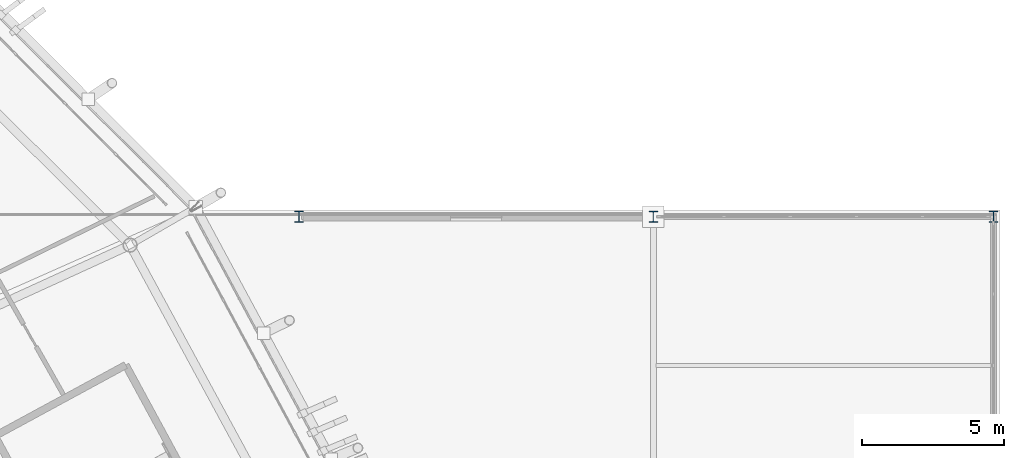
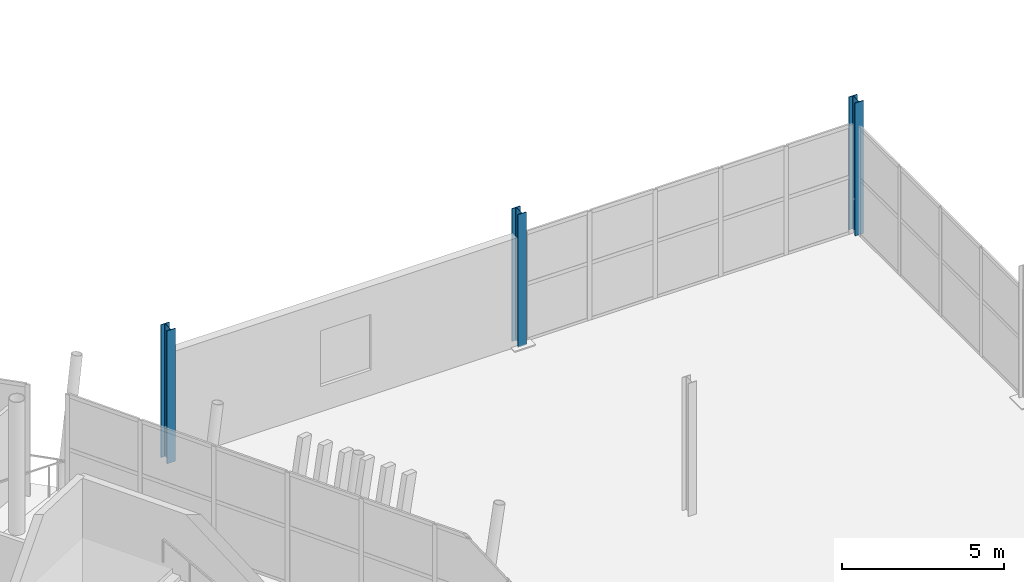
# One storey, part 17 of 179: 3 columns.
"""IFC4 building model written with IfcOpenShell, lengths in metres."""

from ifc_helpers import new_model, si_unit, direction, frame, origin, origin_2d, place, context, subcontext, project, spatial, i_section, extrude, material, material_profile, profile_set, type_object, element, save


model = new_model("IFC4")

# Units and contexts
model_context = context("Model", 3, precision=1e-05, world=origin(), true_north=direction((0.0, 1.0)))
body_context = subcontext(model_context, "Body", "Model", "MODEL_VIEW")
ifc_project = project(units=[si_unit("LENGTHUNIT", "METRE"), si_unit("AREAUNIT", "SQUARE_METRE"), si_unit("VOLUMEUNIT", "CUBIC_METRE"), si_unit("PLANEANGLEUNIT", "RADIAN"), si_unit("MASSUNIT", "GRAM", prefix="KILO")], contexts=[model_context])

# Site, building, storey
site_placement = place(None, origin())
site = spatial("IfcSite", under=ifc_project, at=site_placement, CompositionType="ELEMENT")
building_placement = place(site_placement, origin())
building = spatial("IfcBuilding", under=site, at=building_placement, Name="Zlatoyarsky Gate Stadium", CompositionType="ELEMENT")
storey_placement = place(building_placement, frame((0.0, 0.0, 10.60009765625)))
storey = spatial("IfcBuildingStorey", under=building, at=storey_placement, Name="L02", CompositionType="ELEMENT", Elevation=10.60009765625)

# Columns
ifc_material = material(Name="Steel S355", Category="steel")
ifc_material_profile = material_profile(ifc_material, i_section(OverallWidth=0.300048828125, OverallDepth=0.39990234375, WebThickness=0.013427734375, FlangeThickness=0.02392578125, FilletRadius=0.027099609375, at=origin_2d()), Name="HEB 400")
ifc_profile_set = profile_set([ifc_material_profile], Name="Steel S355")
column_type = type_object("IfcColumnType", Name="STEEL COLUMN HEB 400", PredefinedType="COLUMN", material=ifc_profile_set)
for number, where, z_axis, x_axis, name in (
    (1, (197.5, 116.5, 0.0), (0.0, 0.0, 1.0), (1.0, 0.0, 0.0), "Column ST-C400 WG-17-L on L02"),
    (2, (210.0, 116.5, 0.0), (0.0, 0.0, 1.0), (1.0, 0.0, 0.0), "Column ST-C400 WG-18-L on L02"),
    (3, (222.0, 116.5, 0.0), (0.0, 0.0, 1.0), (1.0, 0.0, 0.0), "Column ST-C400 WG-19-L on L02"),
):
    element("IfcColumn", number, at=place(storey_placement, frame(where, z_axis=z_axis, x_axis=x_axis)), inside=storey, type_object=column_type, Name=name, PredefinedType="COLUMN", context=body_context, shape_type="SweptSolid", body=[
        extrude(i_section(OverallWidth=0.300048828125, OverallDepth=0.39990234375, WebThickness=0.013427734375, FlangeThickness=0.02392578125, FilletRadius=0.027099609375, at=origin_2d()), origin(), (0.0, 0.0, 1.0), 5.0),
    ])

save(model, "model.ifc")
